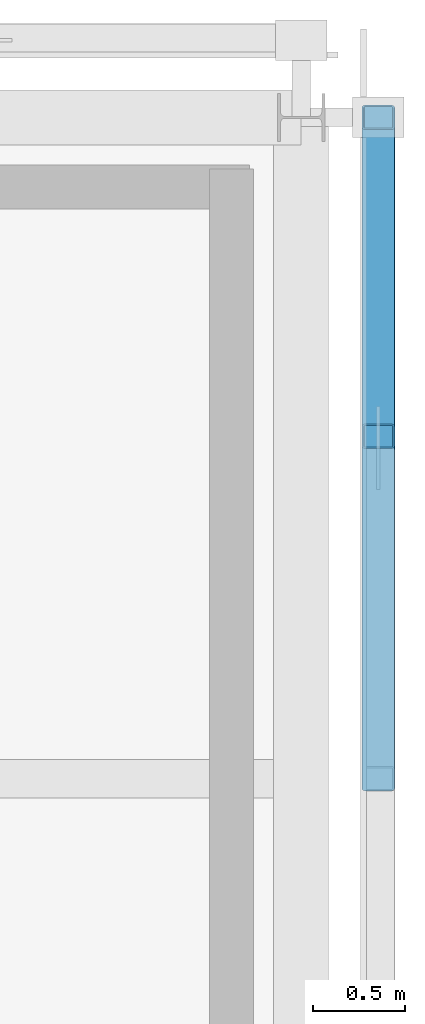
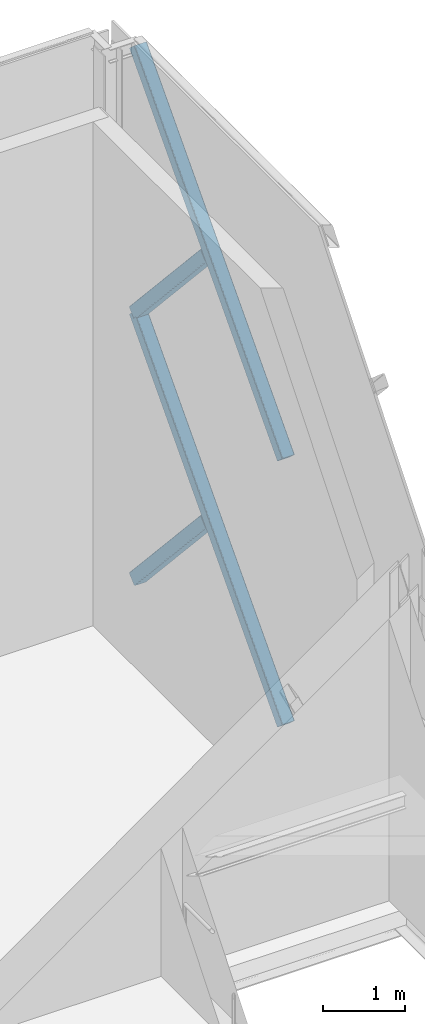
# One storey, part 49 of 76: 4 members.
"""IFC4 building model written with IfcOpenShell, lengths in metres."""

from ifc_helpers import new_model, si_unit, direction, frame, origin, origin_2d, place, context, subcontext, project, spatial, hollow_rectangle, extrude, material, material_profile, profile_set, type_object, element, save


model = new_model("IFC4")

# Units and contexts
model_context = context("Model", 3, precision=1e-05, world=origin(), true_north=direction((0.0, 1.0)))
body_context = subcontext(model_context, "Body", "Model", "MODEL_VIEW")
ifc_project = project(units=[si_unit("LENGTHUNIT", "METRE"), si_unit("AREAUNIT", "SQUARE_METRE"), si_unit("VOLUMEUNIT", "CUBIC_METRE"), si_unit("PLANEANGLEUNIT", "RADIAN"), si_unit("MASSUNIT", "GRAM", prefix="KILO")], contexts=[model_context])

# Site, building, storey
site_placement = place(None, origin())
site = spatial("IfcSite", under=ifc_project, at=site_placement, CompositionType="ELEMENT")
building_placement = place(site_placement, origin())
building = spatial("IfcBuilding", under=site, at=building_placement, Name="Zlatovets Crest Museum", CompositionType="ELEMENT")
storey_placement = place(building_placement, frame((0.0, 0.0, 17.10009765625)))
storey = spatial("IfcBuildingStorey", under=building, at=storey_placement, Name="L04", CompositionType="ELEMENT", Elevation=17.10009765625)

# Members
ifc_material = material(Name="Weathering bronze-steel S355J2W", Category="steel")
ifc_material_profile = material_profile(ifc_material, hollow_rectangle(XDim=0.179931640625, YDim=0.179931640625, WallThickness=0.010009765625, InnerFilletRadius=0.010009765625, OuterFilletRadius=0.02001953125, at=origin_2d()), Name="SHS 180x180x10.0")
ifc_profile_set = profile_set([ifc_material_profile], Name="Weathering bronze-steel S355J2W")
member_type = type_object("IfcMemberType", Name="Lattice_XL-01", PredefinedType="BRACE", material=ifc_profile_set)
member_1_placement = place(storey_placement, frame((108.419921875, 111.60009765625, 0.099853515625), z_axis=(0.0, 0.673593164257, 0.739102326519), x_axis=(-1.0, 0.0, 0.0)))
element("IfcMember", 1, at=member_1_placement, inside=storey, type_object=member_type, Name="Continuous Bronze Lattice Diagonal", PredefinedType="BRACE", context=body_context, shape_type="SweptSolid", body=[
    extrude(hollow_rectangle(XDim=0.179931640625, YDim=0.179931640625, WallThickness=0.010009765625, InnerFilletRadius=0.010009765625, OuterFilletRadius=0.02001953125, at=origin_2d()), origin(), (0.0, 0.0, 1.0), 5.34423828125),
])
member_2_placement = place(storey_placement, frame((108.419921875, 113.464111328125, 2.004638671875), z_axis=(0.0, 0.673568214247, -0.739125064354), x_axis=(-1.0, 0.0, 0.0)))
element("IfcMember", 2, at=member_2_placement, inside=storey, type_object=member_type, Name="Split Crossing Bronze Lattice Diagonal Lower", PredefinedType="BRACE", context=body_context, shape_type="SweptSolid", body=[
    extrude(hollow_rectangle(XDim=0.179931640625, YDim=0.179931640625, WallThickness=0.010009765625, InnerFilletRadius=0.010009765625, OuterFilletRadius=0.02001953125, at=origin_2d()), origin(), (0.0, 0.0, 1.0), 2.5771484375),
])
member_3_placement = place(storey_placement, frame((108.419921875, 111.60009765625, 4.0498046875), z_axis=(0.0, 0.67357042132, 0.739123053032), x_axis=(-1.0, 0.0, 0.0)))
element("IfcMember", 3, at=member_3_placement, inside=storey, type_object=member_type, Name="Continuous Bronze Lattice Diagonal", PredefinedType="BRACE", context=body_context, shape_type="SweptSolid", body=[
    extrude(hollow_rectangle(XDim=0.179931640625, YDim=0.179931640625, WallThickness=0.010009765625, InnerFilletRadius=0.010009765625, OuterFilletRadius=0.02001953125, at=origin_2d()), origin(), (0.0, 0.0, 1.0), 5.344482421875),
])
member_4_placement = place(storey_placement, frame((108.419921875, 113.464111328125, 5.95458984375), z_axis=(0.0, 0.673568214247, -0.739125064354), x_axis=(-1.0, 0.0, 0.0)))
element("IfcMember", 4, at=member_4_placement, inside=storey, type_object=member_type, Name="Split Crossing Bronze Lattice Diagonal Lower", PredefinedType="BRACE", context=body_context, shape_type="SweptSolid", body=[
    extrude(hollow_rectangle(XDim=0.179931640625, YDim=0.179931640625, WallThickness=0.010009765625, InnerFilletRadius=0.010009765625, OuterFilletRadius=0.02001953125, at=origin_2d()), origin(), (0.0, 0.0, 1.0), 2.5771484375),
])

save(model, "model.ifc")
